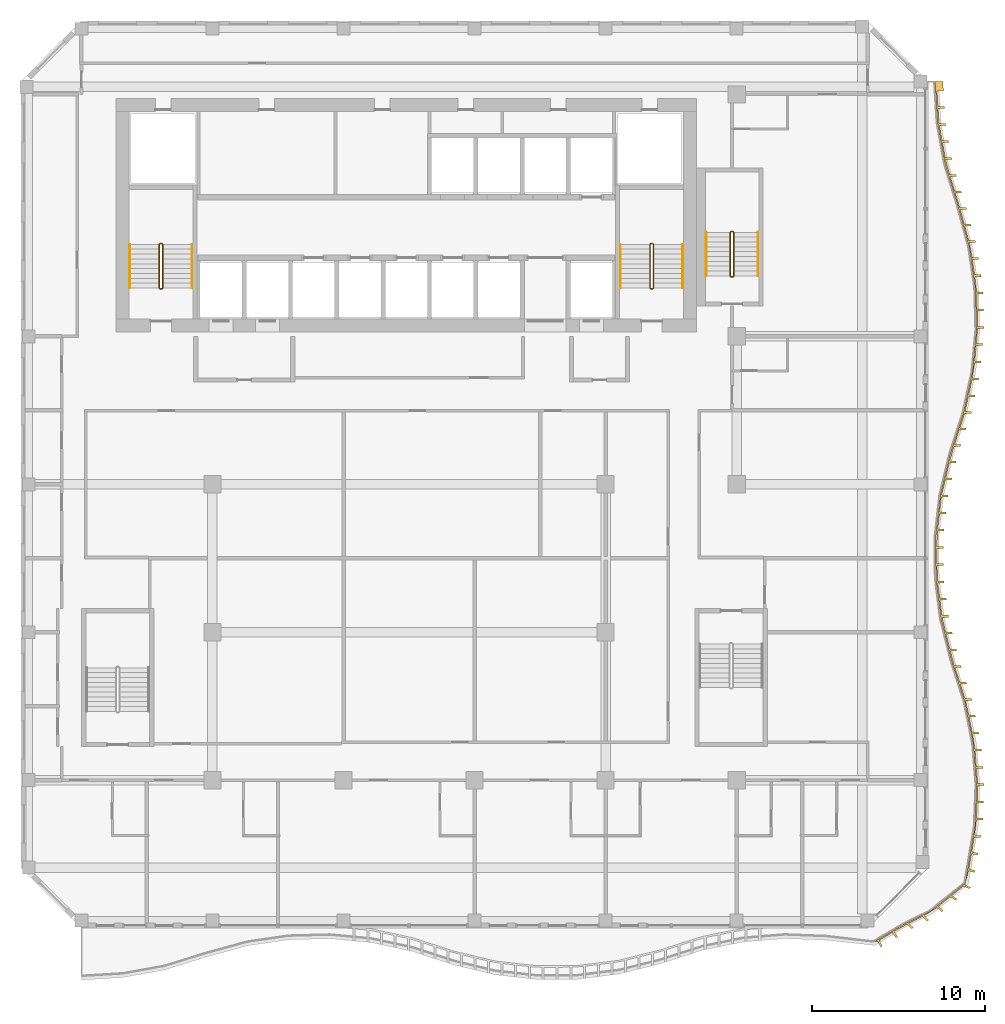
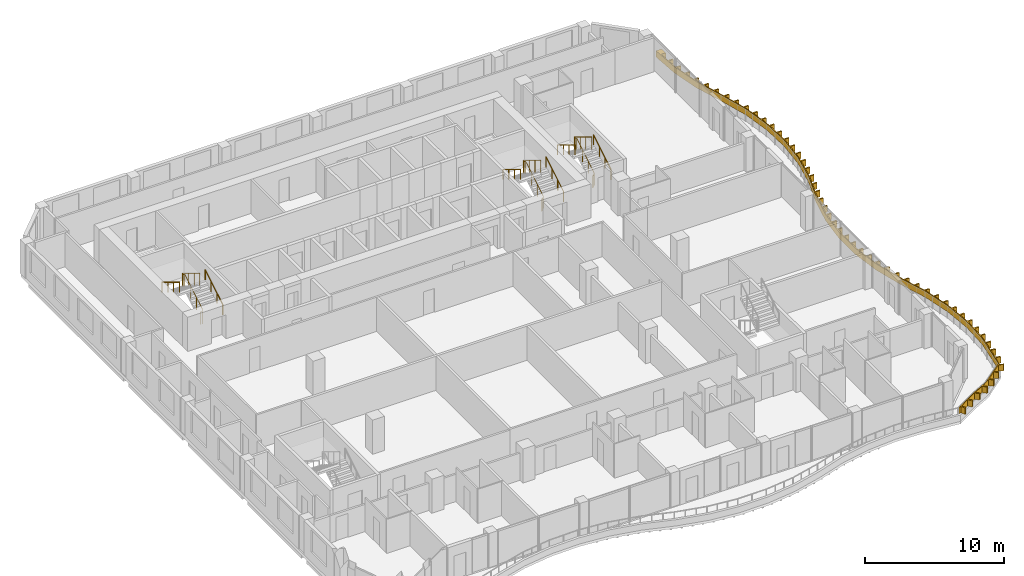
# One storey, part 22 of 22: 9 railings, 1 shading device.
"""IFC4 building model written with IfcOpenShell, lengths in metres."""

import ifcopenshell
import ifcopenshell.guid

model = None  # the IFC model being written
_history = None  # IfcOwnerHistory: only IFC2X3 demands one
_inside = {}  # id of a spatial element -> (the spatial element, [elements in it])
_under = {}  # id of a project, library or spatial element -> (it, [spatial elements below it])
_declared = {}  # id of a project -> (the project, [libraries it declares])
_typed = {}  # id of a type object -> (the type object, [elements of that type])
_made_of = {}  # id of a material, layer set ... -> (it, [elements and type objects made of it])


def new_model(schema):
    """Start an empty IFC model of exactly this schema.

    Asked for "IFC4X3", IfcOpenShell would pick the latest addendum, in which some entities
    have other attributes; the version numbers below select the first issue.
    IFC2X3 requires an IfcOwnerHistory on every rooted entity: one is made here for all.
    """
    global model, _history
    if schema == "IFC4X3":
        model = ifcopenshell.file(schema_version=(4, 3, 0, 0))
    else:
        model = ifcopenshell.file(schema=schema)
    _inside.clear()
    _under.clear()
    _declared.clear()
    _typed.clear()
    _made_of.clear()
    _history = None
    if model.schema == "IFC2X3":
        org = make("IfcOrganization", Name="unknown")
        user = make(
            "IfcPersonAndOrganization",
            ThePerson=make("IfcPerson", FamilyName="unknown"),
            TheOrganization=org,
        )
        app = make(
            "IfcApplication",
            ApplicationDeveloper=org,
            Version="unknown",
            ApplicationFullName="unknown",
            ApplicationIdentifier="unknown",
        )
        _history = make(
            "IfcOwnerHistory",
            OwningUser=user,
            OwningApplication=app,
            ChangeAction="ADDED",
            CreationDate=0,
        )
    return model


def make(cls, **values):
    """One entity of the class cls with the attributes given. An attribute that is None is left unset."""
    return model.create_entity(
        cls, **{name: value for name, value in values.items() if value is not None}
    )


def rooted(cls, **values):
    """An entity with a GlobalId (a new one), such as an element, a storey or a relation."""
    return make(cls, GlobalId=ifcopenshell.guid.new(), OwnerHistory=_history, **values)


def si_unit(unit_type, name, prefix=None):
    """IfcSIUnit, for example si_unit("LENGTHUNIT", "METRE", prefix="MILLI")."""
    return make("IfcSIUnit", UnitType=unit_type, Prefix=prefix, Name=name)


def assignment(units):
    """IfcUnitAssignment: the units of a project."""
    return None if units is None else make("IfcUnitAssignment", Units=units)


def point(xyz):
    """IfcCartesianPoint."""
    return None if xyz is None else make("IfcCartesianPoint", Coordinates=xyz)


def direction(xyz):
    """IfcDirection."""
    return None if xyz is None else make("IfcDirection", DirectionRatios=xyz)


def frame(location, z_axis=None, x_axis=None):
    """IfcAxis2Placement3D, a coordinate frame: its origin and axes. An axis left out is left unset."""
    return make(
        "IfcAxis2Placement3D",
        Location=point(location),
        Axis=direction(z_axis),
        RefDirection=direction(x_axis),
    )


def frame_2d(location, x_axis=None):
    """IfcAxis2Placement2D, a coordinate frame in the plane: its origin and x axis."""
    return make(
        "IfcAxis2Placement2D", Location=point(location), RefDirection=direction(x_axis)
    )


def origin():
    """The frame at (0, 0, 0) with its axes left unset."""
    return frame((0.0, 0.0, 0.0))


def origin_2d():
    """The frame at (0, 0) in the plane with its x axis left unset."""
    return frame_2d((0.0, 0.0))


def place(relative_to, where):
    """IfcLocalPlacement: puts the frame where relative to a parent placement (None: the world)."""
    return make(
        "IfcLocalPlacement", PlacementRelTo=relative_to, RelativePlacement=where
    )


def context(
    kind, dimensions, precision=None, world=None, true_north=None, identifier=None
):
    """IfcGeometricRepresentationContext, for example the 3D "Model" context."""
    return make(
        "IfcGeometricRepresentationContext",
        ContextIdentifier=identifier,
        ContextType=kind,
        CoordinateSpaceDimension=dimensions,
        Precision=precision,
        WorldCoordinateSystem=world,
        TrueNorth=true_north,
    )


def subcontext(parent, identifier, kind, view, scale=None):
    """IfcGeometricRepresentationSubContext, for example "Body" below "Model"."""
    return make(
        "IfcGeometricRepresentationSubContext",
        ContextIdentifier=identifier,
        ContextType=kind,
        ParentContext=parent,
        TargetScale=scale,
        TargetView=view,
    )


def project(units=None, contexts=None):
    """IfcProject with its units and contexts."""
    return rooted(
        "IfcProject",
        Name="project",
        RepresentationContexts=contexts,
        UnitsInContext=assignment(units),
    )


def spatial(cls, under=None, at=None, **own):
    """A site, building, storey or space (cls), placed at a placement, below another one or the project."""
    s = rooted(cls, ObjectPlacement=at, **own)
    if under is not None:
        _under.setdefault(under.id(), (under, []))[1].append(s)
    return s


def polyline(points):
    """IfcPolyline through the points."""
    return make("IfcPolyline", Points=[point(p) for p in points])


def profile(cls, at=None, kind="AREA", **sizes):
    """A parametric profile (cls). Its sizes go by their IFC names, for example OverallWidth=200.0."""
    return make(cls, ProfileType=kind, Position=at, **sizes)


def circle(**sizes):
    """IfcCircleProfileDef."""
    return profile("IfcCircleProfileDef", **sizes)


def outline(outer, holes=None, kind="AREA"):
    """IfcArbitraryClosedProfileDef: a profile drawn as a closed curve; with holes, ...WithVoids."""
    if holes is None:
        return make("IfcArbitraryClosedProfileDef", ProfileType=kind, OuterCurve=outer)
    return make(
        "IfcArbitraryProfileDefWithVoids",
        ProfileType=kind,
        OuterCurve=outer,
        InnerCurves=holes,
    )


def extrude(swept, where, along, depth):
    """IfcExtrudedAreaSolid: the profile swept, set in the frame where, extruded along a direction by depth."""
    return make(
        "IfcExtrudedAreaSolid",
        SweptArea=swept,
        Position=where,
        ExtrudedDirection=direction(along),
        Depth=depth,
    )


def shape(context_of_items, identifier, shape_type, items):
    """IfcShapeRepresentation: the items that make up one representation, for example the "Body"."""
    return make(
        "IfcShapeRepresentation",
        ContextOfItems=context_of_items,
        RepresentationIdentifier=identifier,
        RepresentationType=shape_type,
        Items=items,
    )


def source(mapping_origin, context_of_items, identifier, shape_type, items):
    """IfcRepresentationMap: a shape defined once, which mapped items show again and again."""
    return make(
        "IfcRepresentationMap",
        MappingOrigin=mapping_origin,
        MappedRepresentation=shape(context_of_items, identifier, shape_type, items),
    )


def transform(
    local_origin,
    x_axis=None,
    y_axis=None,
    z_axis=None,
    scale=None,
    scale2=None,
    scale3=None,
    uniform=True,
):
    """IfcCartesianTransformationOperator3D, or its non-uniform kind. x_axis, y_axis, z_axis: its Axis1, 2, 3."""
    if uniform:
        return make(
            "IfcCartesianTransformationOperator3D",
            Axis1=direction(x_axis),
            Axis2=direction(y_axis),
            LocalOrigin=point(local_origin),
            Scale=scale,
            Axis3=direction(z_axis),
        )
    return make(
        "IfcCartesianTransformationOperator3DnonUniform",
        Axis1=direction(x_axis),
        Axis2=direction(y_axis),
        LocalOrigin=point(local_origin),
        Scale=scale,
        Axis3=direction(z_axis),
        Scale2=scale2,
        Scale3=scale3,
    )


def mapped(mapping_source, mapping_target):
    """IfcMappedItem: shows the shape of a source again, moved by a transform."""
    return make(
        "IfcMappedItem", MappingSource=mapping_source, MappingTarget=mapping_target
    )


def material(Name=None, Category=None):
    """IfcMaterial."""
    return make("IfcMaterial", Name=Name, Category=Category)


def layer(
    of_material, thickness, ventilated=None, Name=None, Category=None, Priority=None
):
    """IfcMaterialLayer: one layer of a wall or slab, of a material (None: an air gap)."""
    return make(
        "IfcMaterialLayer",
        Material=of_material,
        LayerThickness=thickness,
        IsVentilated=ventilated,
        Name=Name,
        Category=Category,
        Priority=Priority,
    )


def layer_set(layers, Name=None):
    """IfcMaterialLayerSet."""
    return make("IfcMaterialLayerSet", MaterialLayers=layers, LayerSetName=Name)


def made_of(thing, what):
    """Note that an element or type object is made of a material, layer set ...; save() writes the relation."""
    if what is not None:
        _made_of.setdefault(what.id(), (what, []))[1].append(thing)
    return thing


def type_object(cls, material=None, **own):
    """A type object (cls), such as IfcWallType, which elements share."""
    return made_of(rooted(cls, **own), material)


def element(
    cls,
    number,
    at=None,
    inside=None,
    cuts=None,
    type_object=None,
    material=None,
    context=None,
    identifier="Body",
    shape_type=None,
    held_by="IfcProductDefinitionShape",
    body=None,
    shapes=None,
    **own,
):
    """One element of the class cls, such as IfcWall. Its Tag is "e" and its number.

    at: its placement. inside: the storey or other place that contains it. cuts: it is an
    opening in that element (IfcRelVoidsElement). A single representation is given by context,
    identifier, shape_type and body (its items); several are given by shapes. held_by: the class
    of the entity that holds the representations. save() writes the other relations.
    """
    e = rooted(cls, Tag="e%d" % number, ObjectPlacement=at, **own)
    if body is not None:
        shapes = [shape(context, identifier, shape_type, body)]
    if shapes is not None:
        e.Representation = make(held_by, Representations=shapes)
    if inside is not None:
        _inside.setdefault(inside.id(), (inside, []))[1].append(e)
    if cuts is not None:
        rooted(
            "IfcRelVoidsElement", RelatingBuildingElement=cuts, RelatedOpeningElement=e
        )
    if type_object is not None:
        _typed.setdefault(type_object.id(), (type_object, []))[1].append(e)
    return made_of(e, material)


def aggregate(whole, parts):
    """IfcRelAggregates: a whole, such as a stair, and the parts it consists of."""
    return rooted("IfcRelAggregates", RelatingObject=whole, RelatedObjects=parts)


def save(model, path):
    """Write the relations noted so far, then the file.

    IfcRelAggregates (storeys below a building ...), IfcRelContainedInSpatialStructure (elements
    in a storey), IfcRelDefinesByType, IfcRelAssociatesMaterial and IfcRelDeclares: one each for
    every whole, place, type object, material and project.
    """
    for whole, parts in _under.values():
        aggregate(whole, parts)
    for where, things in _inside.values():
        rooted(
            "IfcRelContainedInSpatialStructure",
            RelatedElements=things,
            RelatingStructure=where,
        )
    for kind, things in _typed.values():
        rooted("IfcRelDefinesByType", RelatedObjects=things, RelatingType=kind)
    for what, things in _made_of.values():
        rooted("IfcRelAssociatesMaterial", RelatedObjects=things, RelatingMaterial=what)
    for by, libraries in _declared.values():
        rooted("IfcRelDeclares", RelatingContext=by, RelatedDefinitions=libraries)
    model.write(path)


model = new_model("IFC4")

# Units and contexts
model_context = context("Model", 3, precision=1e-05, world=origin(), true_north=direction((0.0, 1.0)))
body_context = subcontext(model_context, "Body", "Model", "MODEL_VIEW")
ifc_project = project(units=[si_unit("LENGTHUNIT", "METRE"), si_unit("AREAUNIT", "SQUARE_METRE"), si_unit("VOLUMEUNIT", "CUBIC_METRE"), si_unit("PLANEANGLEUNIT", "RADIAN"), si_unit("MASSUNIT", "GRAM", prefix="KILO")], contexts=[model_context])

# Site, building, storey
site_placement = place(None, origin())
site = spatial("IfcSite", under=ifc_project, at=site_placement, CompositionType="ELEMENT")
building_placement = place(site_placement, origin())
building = spatial("IfcBuilding", under=site, at=building_placement, Name="Kilnfold Tower and Market Hall", CompositionType="ELEMENT")
storey_placement = place(building_placement, frame((0.0, 0.0, 220.300048828125)))
storey = spatial("IfcBuildingStorey", under=building, at=storey_placement, Name="L54", CompositionType="ELEMENT", Elevation=220.300048828125)

# Railings
ifc_material_1 = material(Name="Stainless steel 316", Category="steel")
railing_type_1 = type_object("IfcRailingType", Name="CORE STAIR GUARD 1100", PredefinedType="GUARDRAIL", material=ifc_material_1)
railing_1_placement = place(storey_placement, frame((-13.199951171875, 10.75, 0.0)))
element("IfcRailing", 1, at=railing_1_placement, inside=storey, type_object=railing_type_1, Name="L54 ST1 stair guard 1", PredefinedType="GUARDRAIL", context=body_context, shape_type="SweptSolid", body=[
    extrude(circle(Radius=0.02392578125, at=origin_2d()), frame((0.0, 0.0, 1.076171875), z_axis=(1.0, 0.0, 0.0), x_axis=(0.0, 1.0, 0.0)), (0.0, 0.0, 1.0), 0.099853515625),
    extrude(circle(Radius=0.02392578125, at=origin_2d()), frame((0.099853515625, 0.0, 1.076171875), z_axis=(0.271895245746, 0.271895245746, 0.923117517265), x_axis=(-0.707106781187, 0.707106781187, 0.0)), (0.0, 0.0, 1.0), 0.18408203125),
    extrude(circle(Radius=0.02392578125, at=origin_2d()), frame((0.14990234375, 0.050048828125, 1.24609375), z_axis=(0.0, 0.85478489116, 0.518982456201), x_axis=(-1.0, 0.0, 0.0)), (0.0, 0.0, 1.0), 2.9482421875),
    extrude(circle(Radius=0.02392578125, at=origin_2d()), frame((0.14990234375, 2.570068359375, 2.77587890625), z_axis=(-0.707106781187, 0.707106781187, 0.0), x_axis=(-0.707106781187, -0.707106781187, 0.0)), (0.0, 0.0, 1.0), 0.07080078125),
    extrude(circle(Radius=0.02392578125, at=origin_2d()), frame((0.099853515625, 2.6201171875, 2.77587890625), z_axis=(-1.0, 0.0, 0.0), x_axis=(0.0, -1.0, 0.0)), (0.0, 0.0, 1.0), 0.099853515625),
    extrude(circle(Radius=0.02392578125, at=origin_2d()), frame((0.0, 2.6201171875, 2.77587890625), z_axis=(-0.271895245746, -0.271895245746, 0.923117517265), x_axis=(0.707106781187, -0.707106781187, 0.0)), (0.0, 0.0, 1.0), 0.18408203125),
    extrude(circle(Radius=0.02392578125, at=origin_2d()), frame((-0.050048828125, 2.570068359375, 2.94580078125), z_axis=(0.0, -0.85478489116, 0.518982456201), x_axis=(1.0, 0.0, 0.0)), (0.0, 0.0, 1.0), 2.9482421875),
    extrude(circle(Radius=0.02099609375, at=origin_2d()), origin(), (0.0, 0.0, 1.0), 1.052001953125),
    extrude(circle(Radius=0.02099609375, at=origin_2d()), frame((0.099853515625, 0.0, 0.0)), (0.0, 0.0, 1.0), 1.052001953125),
    extrude(circle(Radius=0.02099609375, at=origin_2d()), frame((0.14990234375, 0.050048828125, 0.169921875)), (0.0, 0.0, 1.0), 1.052001953125),
    extrude(circle(Radius=0.02099609375, at=origin_2d()), frame((0.14990234375, 0.89013671875, 0.679931640625)), (0.0, 0.0, 1.0), 1.052001953125),
    extrude(circle(Radius=0.02099609375, at=origin_2d()), frame((0.14990234375, 1.72998046875, 1.18994140625)), (0.0, 0.0, 1.0), 1.052001953125),
    extrude(circle(Radius=0.02099609375, at=origin_2d()), frame((0.14990234375, 2.570068359375, 1.699951171875)), (0.0, 0.0, 1.0), 1.052001953125),
    extrude(circle(Radius=0.02099609375, at=origin_2d()), frame((0.099853515625, 2.6201171875, 1.699951171875)), (0.0, 0.0, 1.0), 1.052001953125),
    extrude(circle(Radius=0.02099609375, at=origin_2d()), frame((0.0, 2.6201171875, 1.699951171875)), (0.0, 0.0, 1.0), 1.052001953125),
    extrude(circle(Radius=0.02099609375, at=origin_2d()), frame((-0.050048828125, 2.570068359375, 1.869873046875)), (0.0, 0.0, 1.0), 1.052001953125),
    extrude(circle(Radius=0.02099609375, at=origin_2d()), frame((-0.050048828125, 1.72998046875, 2.3798828125)), (0.0, 0.0, 1.0), 1.052001953125),
    extrude(circle(Radius=0.02099609375, at=origin_2d()), frame((-0.050048828125, 0.89013671875, 2.889892578125)), (0.0, 0.0, 1.0), 1.052001953125),
    extrude(circle(Radius=0.02099609375, at=origin_2d()), frame((-0.050048828125, 0.050048828125, 3.39990234375)), (0.0, 0.0, 1.0), 1.052001953125),
])
railing_2_placement = place(storey_placement, frame((15.199951171875, 10.75, 0.0)))
element("IfcRailing", 2, at=railing_2_placement, inside=storey, type_object=railing_type_1, Name="L54 ST2 stair guard 1", PredefinedType="GUARDRAIL", context=body_context, shape_type="SweptSolid", body=[
    extrude(circle(Radius=0.02392578125, at=origin_2d()), frame((0.0, 0.0, 1.076171875), z_axis=(1.0, 0.0, 0.0), x_axis=(0.0, 1.0, 0.0)), (0.0, 0.0, 1.0), 0.10009765625),
    extrude(circle(Radius=0.02392578125, at=origin_2d()), frame((0.10009765625, 0.0, 1.076171875), z_axis=(0.271895245746, 0.271895245746, 0.923117517265), x_axis=(-0.707106781187, 0.707106781187, 0.0)), (0.0, 0.0, 1.0), 0.18408203125),
    extrude(circle(Radius=0.02392578125, at=origin_2d()), frame((0.150146484375, 0.050048828125, 1.24609375), z_axis=(0.0, 0.85478489116, 0.518982456201), x_axis=(-1.0, 0.0, 0.0)), (0.0, 0.0, 1.0), 2.9482421875),
    extrude(circle(Radius=0.02392578125, at=origin_2d()), frame((0.150146484375, 2.570068359375, 2.77587890625), z_axis=(-0.707106781187, 0.707106781187, 0.0), x_axis=(-0.707106781187, -0.707106781187, 0.0)), (0.0, 0.0, 1.0), 0.07080078125),
    extrude(circle(Radius=0.02392578125, at=origin_2d()), frame((0.10009765625, 2.6201171875, 2.77587890625), z_axis=(-1.0, 0.0, 0.0), x_axis=(0.0, -1.0, 0.0)), (0.0, 0.0, 1.0), 0.10009765625),
    extrude(circle(Radius=0.02392578125, at=origin_2d()), frame((0.0, 2.6201171875, 2.77587890625), z_axis=(-0.271895245746, -0.271895245746, 0.923117517265), x_axis=(0.707106781187, -0.707106781187, 0.0)), (0.0, 0.0, 1.0), 0.18408203125),
    extrude(circle(Radius=0.02392578125, at=origin_2d()), frame((-0.050048828125, 2.570068359375, 2.94580078125), z_axis=(0.0, -0.85478489116, 0.518982456201), x_axis=(1.0, 0.0, 0.0)), (0.0, 0.0, 1.0), 2.9482421875),
    extrude(circle(Radius=0.02099609375, at=origin_2d()), origin(), (0.0, 0.0, 1.0), 1.052001953125),
    extrude(circle(Radius=0.02099609375, at=origin_2d()), frame((0.10009765625, 0.0, 0.0)), (0.0, 0.0, 1.0), 1.052001953125),
    extrude(circle(Radius=0.02099609375, at=origin_2d()), frame((0.150146484375, 0.050048828125, 0.169921875)), (0.0, 0.0, 1.0), 1.052001953125),
    extrude(circle(Radius=0.02099609375, at=origin_2d()), frame((0.150146484375, 0.89013671875, 0.679931640625)), (0.0, 0.0, 1.0), 1.052001953125),
    extrude(circle(Radius=0.02099609375, at=origin_2d()), frame((0.150146484375, 1.72998046875, 1.18994140625)), (0.0, 0.0, 1.0), 1.052001953125),
    extrude(circle(Radius=0.02099609375, at=origin_2d()), frame((0.150146484375, 2.570068359375, 1.699951171875)), (0.0, 0.0, 1.0), 1.052001953125),
    extrude(circle(Radius=0.02099609375, at=origin_2d()), frame((0.10009765625, 2.6201171875, 1.699951171875)), (0.0, 0.0, 1.0), 1.052001953125),
    extrude(circle(Radius=0.02099609375, at=origin_2d()), frame((0.0, 2.6201171875, 1.699951171875)), (0.0, 0.0, 1.0), 1.052001953125),
    extrude(circle(Radius=0.02099609375, at=origin_2d()), frame((-0.050048828125, 2.570068359375, 1.869873046875)), (0.0, 0.0, 1.0), 1.052001953125),
    extrude(circle(Radius=0.02099609375, at=origin_2d()), frame((-0.050048828125, 1.72998046875, 2.3798828125)), (0.0, 0.0, 1.0), 1.052001953125),
    extrude(circle(Radius=0.02099609375, at=origin_2d()), frame((-0.050048828125, 0.89013671875, 2.889892578125)), (0.0, 0.0, 1.0), 1.052001953125),
    extrude(circle(Radius=0.02099609375, at=origin_2d()), frame((-0.050048828125, 0.050048828125, 3.39990234375)), (0.0, 0.0, 1.0), 1.052001953125),
])
railing_3_placement = place(storey_placement, frame((19.85009765625, 11.449951171875, 0.0)))
element("IfcRailing", 3, at=railing_3_placement, inside=storey, type_object=railing_type_1, Name="L54 ST5 stair guard 1", PredefinedType="GUARDRAIL", context=body_context, shape_type="SweptSolid", body=[
    extrude(circle(Radius=0.02392578125, at=origin_2d()), frame((0.0, 0.0, 1.076171875), z_axis=(1.0, 0.0, 0.0), x_axis=(0.0, 1.0, 0.0)), (0.0, 0.0, 1.0), 0.099853515625),
    extrude(circle(Radius=0.02392578125, at=origin_2d()), frame((0.099853515625, 0.0, 1.076171875), z_axis=(0.271895245746, 0.271895245746, 0.923117517265), x_axis=(-0.707106781187, 0.707106781187, 0.0)), (0.0, 0.0, 1.0), 0.18408203125),
    extrude(circle(Radius=0.02392578125, at=origin_2d()), frame((0.14990234375, 0.050048828125, 1.24609375), z_axis=(0.0, 0.85478489116, 0.518982456201), x_axis=(-1.0, 0.0, 0.0)), (0.0, 0.0, 1.0), 2.9482421875),
    extrude(circle(Radius=0.02392578125, at=origin_2d()), frame((0.14990234375, 2.570068359375, 2.77587890625), z_axis=(-0.707106781187, 0.707106781187, 0.0), x_axis=(-0.707106781187, -0.707106781187, 0.0)), (0.0, 0.0, 1.0), 0.07080078125),
    extrude(circle(Radius=0.02392578125, at=origin_2d()), frame((0.099853515625, 2.6201171875, 2.77587890625), z_axis=(-1.0, 0.0, 0.0), x_axis=(0.0, -1.0, 0.0)), (0.0, 0.0, 1.0), 0.099853515625),
    extrude(circle(Radius=0.02392578125, at=origin_2d()), frame((0.0, 2.6201171875, 2.77587890625), z_axis=(-0.271895245746, -0.271895245746, 0.923117517265), x_axis=(0.707106781187, -0.707106781187, 0.0)), (0.0, 0.0, 1.0), 0.18408203125),
    extrude(circle(Radius=0.02392578125, at=origin_2d()), frame((-0.050048828125, 2.570068359375, 2.94580078125), z_axis=(0.0, -0.85478489116, 0.518982456201), x_axis=(1.0, 0.0, 0.0)), (0.0, 0.0, 1.0), 2.9482421875),
    extrude(circle(Radius=0.02099609375, at=origin_2d()), origin(), (0.0, 0.0, 1.0), 1.052001953125),
    extrude(circle(Radius=0.02099609375, at=origin_2d()), frame((0.099853515625, 0.0, 0.0)), (0.0, 0.0, 1.0), 1.052001953125),
    extrude(circle(Radius=0.02099609375, at=origin_2d()), frame((0.14990234375, 0.050048828125, 0.169921875)), (0.0, 0.0, 1.0), 1.052001953125),
    extrude(circle(Radius=0.02099609375, at=origin_2d()), frame((0.14990234375, 0.89013671875, 0.679931640625)), (0.0, 0.0, 1.0), 1.052001953125),
    extrude(circle(Radius=0.02099609375, at=origin_2d()), frame((0.14990234375, 1.72998046875, 1.18994140625)), (0.0, 0.0, 1.0), 1.052001953125),
    extrude(circle(Radius=0.02099609375, at=origin_2d()), frame((0.14990234375, 2.570068359375, 1.699951171875)), (0.0, 0.0, 1.0), 1.052001953125),
    extrude(circle(Radius=0.02099609375, at=origin_2d()), frame((0.099853515625, 2.6201171875, 1.699951171875)), (0.0, 0.0, 1.0), 1.052001953125),
    extrude(circle(Radius=0.02099609375, at=origin_2d()), frame((0.0, 2.6201171875, 1.699951171875)), (0.0, 0.0, 1.0), 1.052001953125),
    extrude(circle(Radius=0.02099609375, at=origin_2d()), frame((-0.050048828125, 2.570068359375, 1.869873046875)), (0.0, 0.0, 1.0), 1.052001953125),
    extrude(circle(Radius=0.02099609375, at=origin_2d()), frame((-0.050048828125, 1.72998046875, 2.3798828125)), (0.0, 0.0, 1.0), 1.052001953125),
    extrude(circle(Radius=0.02099609375, at=origin_2d()), frame((-0.050048828125, 0.89013671875, 2.889892578125)), (0.0, 0.0, 1.0), 1.052001953125),
    extrude(circle(Radius=0.02099609375, at=origin_2d()), frame((-0.050048828125, 0.050048828125, 3.39990234375)), (0.0, 0.0, 1.0), 1.052001953125),
])
ifc_material_2 = material(Name="Stainless steel 316", Category="steel")
railing_type_2 = type_object("IfcRailingType", Name="CORE STAIR HANDRAIL 900", PredefinedType="HANDRAIL", material=ifc_material_2)
railing_4_placement = place(storey_placement, frame((-11.35009765625, 10.800048828125, 0.169921875)))
element("IfcRailing", 4, at=railing_4_placement, inside=storey, type_object=railing_type_2, Name="L54 ST1 stair handrail 1", PredefinedType="HANDRAIL", context=body_context, shape_type="SweptSolid", body=[
    extrude(circle(Radius=0.02392578125, at=origin_2d()), frame((0.0, 0.0, 0.8759765625), z_axis=(0.0, 0.85478489116, 0.518982456201), x_axis=(-1.0, 0.0, 0.0)), (0.0, 0.0, 1.0), 2.9482421875),
    extrude(circle(Radius=0.02099609375, at=origin_2d()), origin(), (0.0, 0.0, 1.0), 0.851806640625),
    extrude(circle(Radius=0.02099609375, at=origin_2d()), frame((0.0, 0.840087890625, 0.510009765625)), (0.0, 0.0, 1.0), 0.851806640625),
    extrude(circle(Radius=0.02099609375, at=origin_2d()), frame((0.0, 1.679931640625, 1.02001953125)), (0.0, 0.0, 1.0), 0.851806640625),
    extrude(circle(Radius=0.02099609375, at=origin_2d()), frame((0.0, 2.52001953125, 1.530029296875)), (0.0, 0.0, 1.0), 0.851806640625),
])
railing_5_placement = place(storey_placement, frame((-14.949951171875, 13.320068359375, 1.869873046875)))
element("IfcRailing", 5, at=railing_5_placement, inside=storey, type_object=railing_type_2, Name="L54 ST1 stair handrail 2", PredefinedType="HANDRAIL", context=body_context, shape_type="SweptSolid", body=[
    extrude(circle(Radius=0.02392578125, at=origin_2d()), frame((0.0, 0.0, 0.8759765625), z_axis=(0.0, -0.85478489116, 0.518982456201), x_axis=(1.0, 0.0, 0.0)), (0.0, 0.0, 1.0), 2.9482421875),
    extrude(circle(Radius=0.02099609375, at=origin_2d()), origin(), (0.0, 0.0, 1.0), 0.851806640625),
    extrude(circle(Radius=0.02099609375, at=origin_2d()), frame((0.0, -0.840087890625, 0.510009765625)), (0.0, 0.0, 1.0), 0.851806640625),
    extrude(circle(Radius=0.02099609375, at=origin_2d()), frame((0.0, -1.679931640625, 1.02001953125)), (0.0, 0.0, 1.0), 0.851806640625),
    extrude(circle(Radius=0.02099609375, at=origin_2d()), frame((0.0, -2.52001953125, 1.530029296875)), (0.0, 0.0, 1.0), 0.851806640625),
])
railing_6_placement = place(storey_placement, frame((17.050048828125, 10.800048828125, 0.169921875)))
element("IfcRailing", 6, at=railing_6_placement, inside=storey, type_object=railing_type_2, Name="L54 ST2 stair handrail 1", PredefinedType="HANDRAIL", context=body_context, shape_type="SweptSolid", body=[
    extrude(circle(Radius=0.02392578125, at=origin_2d()), frame((0.0, 0.0, 0.8759765625), z_axis=(0.0, 0.85478489116, 0.518982456201), x_axis=(-1.0, 0.0, 0.0)), (0.0, 0.0, 1.0), 2.9482421875),
    extrude(circle(Radius=0.02099609375, at=origin_2d()), origin(), (0.0, 0.0, 1.0), 0.851806640625),
    extrude(circle(Radius=0.02099609375, at=origin_2d()), frame((0.0, 0.840087890625, 0.510009765625)), (0.0, 0.0, 1.0), 0.851806640625),
    extrude(circle(Radius=0.02099609375, at=origin_2d()), frame((0.0, 1.679931640625, 1.02001953125)), (0.0, 0.0, 1.0), 0.851806640625),
    extrude(circle(Radius=0.02099609375, at=origin_2d()), frame((0.0, 2.52001953125, 1.530029296875)), (0.0, 0.0, 1.0), 0.851806640625),
])
railing_7_placement = place(storey_placement, frame((13.449951171875, 13.320068359375, 1.869873046875)))
element("IfcRailing", 7, at=railing_7_placement, inside=storey, type_object=railing_type_2, Name="L54 ST2 stair handrail 2", PredefinedType="HANDRAIL", context=body_context, shape_type="SweptSolid", body=[
    extrude(circle(Radius=0.02392578125, at=origin_2d()), frame((0.0, 0.0, 0.8759765625), z_axis=(0.0, -0.85478489116, 0.518982456201), x_axis=(1.0, 0.0, 0.0)), (0.0, 0.0, 1.0), 2.9482421875),
    extrude(circle(Radius=0.02099609375, at=origin_2d()), origin(), (0.0, 0.0, 1.0), 0.851806640625),
    extrude(circle(Radius=0.02099609375, at=origin_2d()), frame((0.0, -0.840087890625, 0.510009765625)), (0.0, 0.0, 1.0), 0.851806640625),
    extrude(circle(Radius=0.02099609375, at=origin_2d()), frame((0.0, -1.679931640625, 1.02001953125)), (0.0, 0.0, 1.0), 0.851806640625),
    extrude(circle(Radius=0.02099609375, at=origin_2d()), frame((0.0, -2.52001953125, 1.530029296875)), (0.0, 0.0, 1.0), 0.851806640625),
])
railing_8_placement = place(storey_placement, frame((21.39990234375, 11.5, 0.169921875)))
element("IfcRailing", 8, at=railing_8_placement, inside=storey, type_object=railing_type_2, Name="L54 ST5 stair handrail 1", PredefinedType="HANDRAIL", context=body_context, shape_type="SweptSolid", body=[
    extrude(circle(Radius=0.02392578125, at=origin_2d()), frame((0.0, 0.0, 0.8759765625), z_axis=(0.0, 0.85478489116, 0.518982456201), x_axis=(-1.0, 0.0, 0.0)), (0.0, 0.0, 1.0), 2.9482421875),
    extrude(circle(Radius=0.02099609375, at=origin_2d()), origin(), (0.0, 0.0, 1.0), 0.851806640625),
    extrude(circle(Radius=0.02099609375, at=origin_2d()), frame((0.0, 0.840087890625, 0.510009765625)), (0.0, 0.0, 1.0), 0.851806640625),
    extrude(circle(Radius=0.02099609375, at=origin_2d()), frame((0.0, 1.679931640625, 1.02001953125)), (0.0, 0.0, 1.0), 0.851806640625),
    extrude(circle(Radius=0.02099609375, at=origin_2d()), frame((0.0, 2.52001953125, 1.530029296875)), (0.0, 0.0, 1.0), 0.851806640625),
])
railing_9_placement = place(storey_placement, frame((18.39990234375, 14.02001953125, 1.869873046875)))
element("IfcRailing", 9, at=railing_9_placement, inside=storey, type_object=railing_type_2, Name="L54 ST5 stair handrail 2", PredefinedType="HANDRAIL", context=body_context, shape_type="SweptSolid", body=[
    extrude(circle(Radius=0.02392578125, at=origin_2d()), frame((0.0, 0.0, 0.8759765625), z_axis=(0.0, -0.85478489116, 0.518982456201), x_axis=(1.0, 0.0, 0.0)), (0.0, 0.0, 1.0), 2.9482421875),
    extrude(circle(Radius=0.02099609375, at=origin_2d()), origin(), (0.0, 0.0, 1.0), 0.851806640625),
    extrude(circle(Radius=0.02099609375, at=origin_2d()), frame((0.0, -0.840087890625, 0.510009765625)), (0.0, 0.0, 1.0), 0.851806640625),
    extrude(circle(Radius=0.02099609375, at=origin_2d()), frame((0.0, -1.679931640625, 1.02001953125)), (0.0, 0.0, 1.0), 0.851806640625),
    extrude(circle(Radius=0.02099609375, at=origin_2d()), frame((0.0, -2.52001953125, 1.530029296875)), (0.0, 0.0, 1.0), 0.851806640625),
])

# Shading device
ifc_material_3 = material(Name="Bronze anodised aluminium", Category="aluminium")
ifc_layer = layer(ifc_material_3, 0.550048828125)
ifc_layer_set = layer_set([ifc_layer], Name="Bronze anodised aluminium")
shading_device_type = type_object("IfcShadingDeviceType", Name="BRONZE SLAT FASCIA 550", PredefinedType="USERDEFINED", material=ifc_layer_set)
shared_shape = source(origin(), body_context, "Body", "SweptSolid", [
    extrude(outline(polyline([(28.4892578125, -27.342041015625), (28.332763671875, -27.009033203125), (28.158935546875, -27.021484375), (29.8515625, -26.01806640625), (31.411376953125, -25.24462890625), (33.392578125, -23.637451171875), (33.9521484375, -20.355224609375), (34.0458984375, -17.96044921875), (33.85400390625, -15.56591796875), (33.3681640625, -13.171142578125), (32.598388671875, -10.7763671875), (31.99560546875, -8.381591796875), (31.693359375, -5.98681640625), (31.678466796875, -3.592041015625), (31.9501953125, -1.197509765625), (32.5205078125, 1.197509765625), (33.299560546875, 3.592041015625), (33.817138671875, 5.98681640625), (34.039306640625, 8.381591796875), (33.975341796875, 10.7763671875), (33.623046875, 13.171142578125), (32.96630859375, 15.56591796875), (32.226806640625, 17.96044921875), (31.792724609375, 20.355224609375), (31.64990234375, 22.75), (32.10009765625, 22.75), (32.1337890625, 22.1845703125), (31.763671875, 22.1845703125), (31.81591796875, 21.30615234375), (32.18603515625, 21.30615234375), (32.193115234375, 21.186279296875), (31.8232421875, 21.186279296875), (31.881103515625, 20.30859375), (32.251220703125, 20.30859375), (32.272705078125, 20.1904296875), (31.902587890625, 20.1904296875), (32.0595703125, 19.32470703125), (32.4296875, 19.32470703125), (32.450927734375, 19.20654296875), (32.0810546875, 19.20654296875), (32.238037109375, 18.340576171875), (32.60791015625, 18.340576171875), (32.62939453125, 18.222412109375), (32.259521484375, 18.222412109375), (32.48779296875, 17.3740234375), (32.85791015625, 17.3740234375), (32.893310546875, 17.259521484375), (32.523193359375, 17.259521484375), (32.782958984375, 16.418701171875), (33.15283203125, 16.418701171875), (33.188232421875, 16.303955078125), (32.818359375, 16.303955078125), (33.07470703125, 15.462158203125), (33.444580078125, 15.462158203125), (33.476318359375, 15.346435546875), (33.1064453125, 15.346435546875), (33.339111328125, 14.497802734375), (33.709228515625, 14.497802734375), (33.740966796875, 14.382080078125), (33.370849609375, 14.382080078125), (33.603759765625, 13.533447265625), (33.9736328125, 13.533447265625), (34.005615234375, 13.417724609375), (33.635498046875, 13.417724609375), (33.7939453125, 12.553466796875), (34.1640625, 12.553466796875), (34.181396484375, 12.434814453125), (33.811279296875, 12.434814453125), (33.939453125, 11.564208984375), (34.3095703125, 11.564208984375), (34.326904296875, 11.4453125), (33.95703125, 11.4453125), (34.060791015625, 10.572509765625), (34.430908203125, 10.572509765625), (34.43408203125, 10.45263671875), (34.06396484375, 10.45263671875), (34.08740234375, 9.572998046875), (34.45751953125, 9.572998046875), (34.460693359375, 9.452880859375), (34.0908203125, 9.452880859375), (34.114013671875, 8.5732421875), (34.484130859375, 8.5732421875), (34.4873046875, 8.453369140625), (34.1171875, 8.453369140625), (34.044677734375, 7.576904296875), (34.41455078125, 7.576904296875), (34.403564453125, 7.45751953125), (34.033447265625, 7.45751953125), (33.952392578125, 6.5810546875), (34.322265625, 6.5810546875), (34.311279296875, 6.461669921875), (33.941162109375, 6.461669921875), (33.81201171875, 5.5927734375), (34.181884765625, 5.5927734375), (34.15673828125, 5.4755859375), (33.78662109375, 5.4755859375), (33.600830078125, 4.615234375), (33.970703125, 4.615234375), (33.9453125, 4.498046875), (33.575439453125, 4.498046875), (33.389404296875, 3.637939453125), (33.759521484375, 3.637939453125), (33.74951171875, 3.592041015625), (33.72705078125, 3.522705078125), (33.35693359375, 3.522705078125), (33.084716796875, 2.685791015625), (33.45458984375, 2.685791015625), (33.41748046875, 2.571533203125), (33.047607421875, 2.571533203125), (32.775390625, 1.73486328125), (33.145263671875, 1.73486328125), (33.108154296875, 1.62060546875), (32.738037109375, 1.62060546875), (32.499755859375, 0.7744140625), (32.86962890625, 0.7744140625), (32.841796875, 0.65771484375), (32.471923828125, 0.65771484375), (32.26806640625, -0.198486328125), (32.63818359375, -0.198486328125), (32.6103515625, -0.315185546875), (32.240234375, -0.315185546875), (32.036376953125, -1.171142578125), (32.406494140625, -1.171142578125), (32.3896484375, -1.289794921875), (32.019775390625, -1.289794921875), (31.92041015625, -2.164306640625), (32.29052734375, -2.164306640625), (32.277099609375, -2.283447265625), (31.906982421875, -2.283447265625), (31.807861328125, -3.157958984375), (32.177734375, -3.157958984375), (32.164306640625, -3.277099609375), (31.794189453125, -3.277099609375), (31.761962890625, -4.155029296875), (32.132080078125, -4.155029296875), (32.1328125, -4.275146484375), (31.7626953125, -4.275146484375), (31.768310546875, -5.155029296875), (32.13818359375, -5.155029296875), (32.138916015625, -5.275146484375), (31.76904296875, -5.275146484375), (31.79443359375, -6.15380859375), (32.16455078125, -6.15380859375), (32.179443359375, -6.272705078125), (31.8095703125, -6.272705078125), (31.919677734375, -7.14599609375), (32.28955078125, -7.14599609375), (32.3046875, -7.264892578125), (31.9345703125, -7.264892578125), (32.044921875, -8.137939453125), (32.414794921875, -8.137939453125), (32.4296875, -8.257080078125), (32.059814453125, -8.257080078125), (32.259765625, -9.11328125), (32.629638671875, -9.11328125), (32.658935546875, -9.229736328125), (32.2890625, -9.229736328125), (32.50390625, -10.0830078125), (32.873779296875, -10.0830078125), (32.903076171875, -10.199462890625), (32.533203125, -10.199462890625), (32.765380859375, -11.047607421875), (33.135498046875, -11.047607421875), (33.17236328125, -11.162109375), (32.80224609375, -11.162109375), (33.071533203125, -11.999755859375), (33.441650390625, -11.999755859375), (33.478271484375, -12.114013671875), (33.1083984375, -12.114013671875), (33.377685546875, -12.951904296875), (33.74755859375, -12.951904296875), (33.7841796875, -13.06591796875), (33.414306640625, -13.06591796875), (33.60107421875, -13.92529296875), (33.97119140625, -13.92529296875), (33.9951171875, -14.04296875), (33.625, -14.04296875), (33.7998046875, -14.905517578125), (34.169921875, -14.905517578125), (34.19384765625, -15.02294921875), (33.82373046875, -15.02294921875), (33.9599609375, -15.890869140625), (34.330078125, -15.890869140625), (34.339599609375, -16.010498046875), (33.969482421875, -16.010498046875), (34.039794921875, -16.8876953125), (34.409912109375, -16.8876953125), (34.41943359375, -17.00732421875), (34.04931640625, -17.00732421875), (34.11962890625, -17.884521484375), (34.48974609375, -17.884521484375), (34.495849609375, -17.96044921875), (34.494140625, -18.004150390625), (34.1240234375, -18.004150390625), (34.089599609375, -18.883544921875), (34.459716796875, -18.883544921875), (34.455078125, -19.00341796875), (34.0849609375, -19.00341796875), (34.05078125, -19.8828125), (34.420654296875, -19.8828125), (34.416015625, -20.002685546875), (34.0458984375, -20.002685546875), (33.943603515625, -20.86767578125), (34.310302734375, -20.8896484375), (34.289306640625, -21.01123046875), (33.92333984375, -20.984375), (33.7763671875, -21.839599609375), (34.135986328125, -21.9033203125), (34.114990234375, -22.025146484375), (33.756591796875, -21.956298828125), (33.61083984375, -22.8115234375), (33.961669921875, -22.917236328125), (33.94091796875, -23.038818359375), (33.59130859375, -22.92822265625), (33.375, -23.7421875), (33.713623046875, -23.889404296875), (33.61865234375, -23.9697265625), (33.283447265625, -23.81689453125), (32.6123046875, -24.36328125), (32.922119140625, -24.55712890625), (32.826904296875, -24.63720703125), (32.52099609375, -24.437744140625), (31.85205078125, -24.985595703125), (32.13037109375, -25.224853515625), (32.035400390625, -25.304931640625), (31.760986328125, -25.060302734375), (31.025390625, -25.5205078125), (31.287109375, -25.7822265625), (31.1796875, -25.835693359375), (30.91796875, -25.573974609375), (30.129638671875, -25.96484375), (30.39111328125, -26.2265625), (30.28369140625, -26.27978515625), (30.02197265625, -26.01806640625), (29.273681640625, -26.448974609375), (29.494140625, -26.740478515625), (29.38671875, -26.804931640625), (29.1728515625, -26.5087890625), (28.43359375, -26.94873046875), (28.596923828125, -27.277587890625), (28.4892578125, -27.342041015625)])), origin(), (0.0, 0.0, 1.0), 0.5498046875),
])
shading_device_placement = place(storey_placement, frame((0.0, 0.0, 0.550048828125)))
element("IfcShadingDevice", 10, at=shading_device_placement, inside=storey, type_object=shading_device_type, Name="Balcony slat fascia L54", ObjectType="SLAT", PredefinedType="USERDEFINED", context=body_context, shape_type="MappedRepresentation", body=[
    mapped(shared_shape, transform((0.0, 0.0, 0.0))),
])

save(model, "model.ifc")
